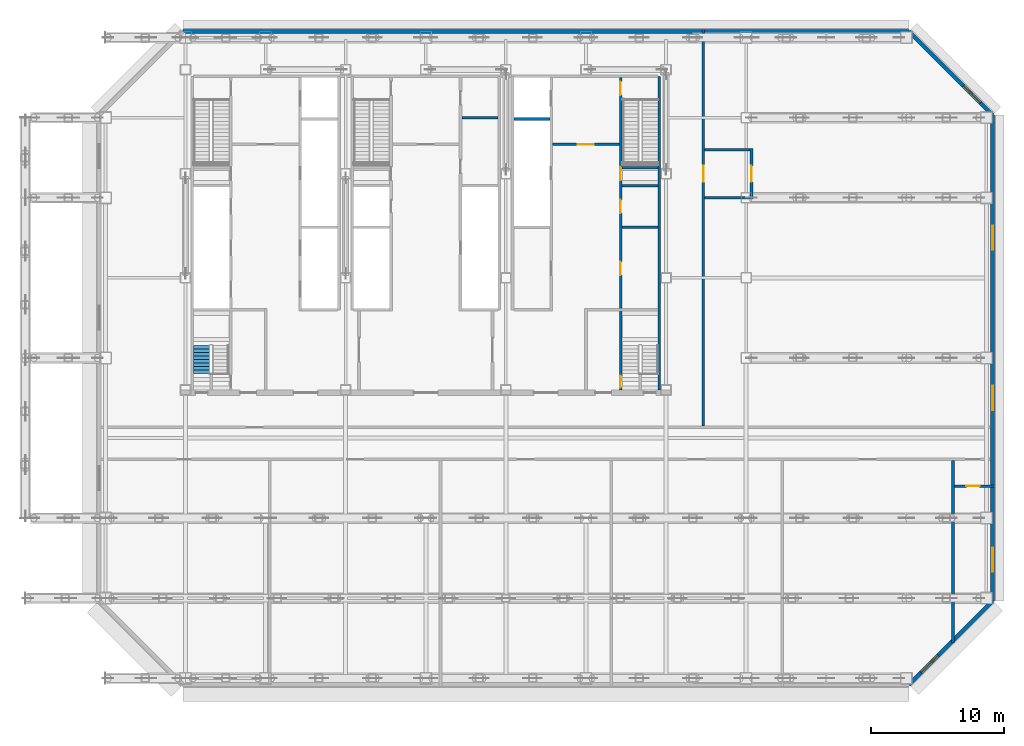
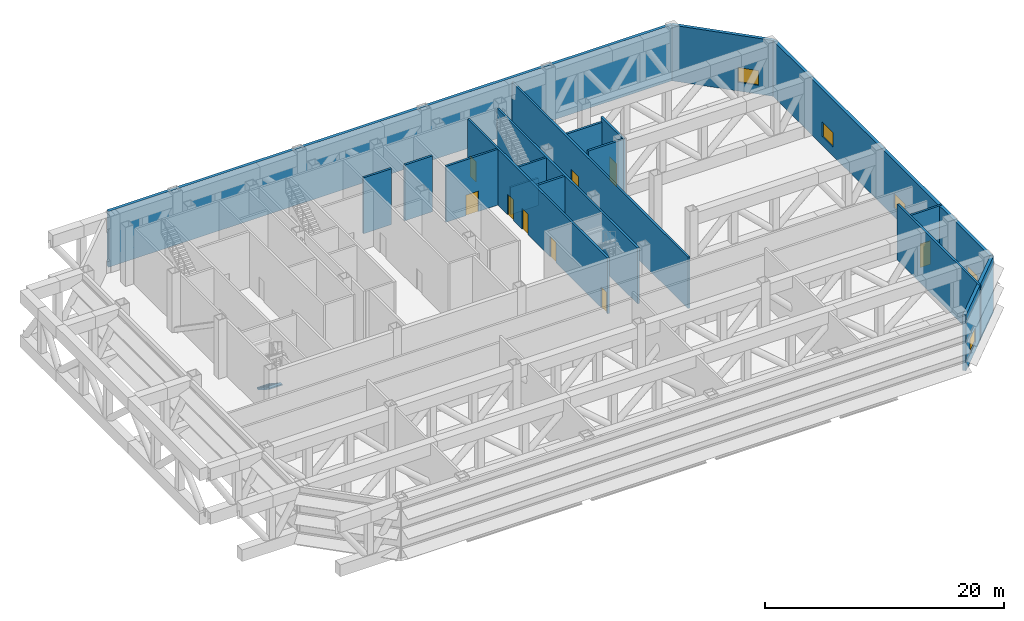
# One storey, part 8 of 17: 18 walls, 9 doors, 5 windows, 1 stair flight, 14 openings, 1 element without a shape of its own.
"""IFC4 building model written with IfcOpenShell, lengths in metres."""

from ifc_helpers import new_model, si_unit, direction, frame, frame_2d, origin, place, context, subcontext, project, spatial, polyline, rectangle, outline, extrude, material, layer, layer_set, type_object, element, fill, aggregate, save


model = new_model("IFC4")

# Units and contexts
model_context = context("Model", 3, precision=1e-05, world=origin(), true_north=direction((0.0, 1.0)))
body_context = subcontext(model_context, "Body", "Model", "MODEL_VIEW")
ifc_project = project(units=[si_unit("LENGTHUNIT", "METRE"), si_unit("AREAUNIT", "SQUARE_METRE"), si_unit("VOLUMEUNIT", "CUBIC_METRE"), si_unit("PLANEANGLEUNIT", "RADIAN"), si_unit("MASSUNIT", "GRAM", prefix="KILO")], contexts=[model_context])

# Site, building, storey
site_placement = place(None, origin())
site = spatial("IfcSite", under=ifc_project, at=site_placement, CompositionType="ELEMENT")
building_placement = place(site_placement, origin())
building = spatial("IfcBuilding", under=site, at=building_placement, Name="Sorahane Residences", CompositionType="ELEMENT")
storey_placement = place(building_placement, frame((0.0, 0.0, 90.199951171875)))
storey = spatial("IfcBuildingStorey", under=building, at=storey_placement, Name="L19", CompositionType="ELEMENT", Elevation=90.199951171875)

# Wall
ifc_material_1 = material(Name="Concrete C30", Category="concrete")
ifc_layer_1 = layer(ifc_material_1, 0.199951171875)
ifc_layer_set_1 = layer_set([ifc_layer_1], Name="Core face wall 200 EI 180")
wall_type_1 = type_object("IfcWallType", Name="Core face wall 200 EI 180", PredefinedType="SOLIDWALL", material=ifc_layer_set_1)
wall_1_placement = place(storey_placement, frame((41.5, 21.60009765625, 0.0), z_axis=(0.0, 0.0, 1.0), x_axis=(0.0, 1.0, 0.0)))
element("IfcWall", 1, at=wall_1_placement, inside=storey, type_object=wall_type_1, Name="L19 core face wall", PredefinedType="SOLIDWALL", context=body_context, shape_type="SweptSolid", body=[
    extrude(rectangle(XDim=23.5, YDim=0.199951171875, at=frame_2d((11.75, 0.0))), origin(), (0.0, 0.0, 1.0), 5.699951171875),
])

# Wall, opening, window
ifc_material_2 = material(Name="Graphite insulated metal-clad wall")
ifc_layer_2 = layer(ifc_material_2, 0.300048828125)
ifc_layer_set_2 = layer_set([ifc_layer_2], Name="External wall insulated metal-clad 300")
wall_type_2 = type_object("IfcWallType", Name="External wall insulated metal-clad 300", PredefinedType="SOLIDWALL", material=ifc_layer_set_2)
wall_2_placement = place(storey_placement, frame((60.194580078125, -0.469970703125, 0.0), z_axis=(0.0, 0.0, 1.0), x_axis=(0.707106781187, 0.707106781187, 0.0)))
wall_2 = element("IfcWall", 2, at=wall_2_placement, inside=storey, type_object=wall_type_2, Name="External plant wall L19 SE1", PredefinedType="SOLIDWALL", context=body_context, shape_type="SweptSolid", body=[
    extrude(rectangle(XDim=8.874755859375, YDim=0.300048828125, at=frame_2d((4.4375, 0.0))), origin(), (0.0, 0.0, 1.0), 5.699951171875),
])
opening_1_placement = place(wall_2_placement, frame((1.291748046875, 0.0, 0.89990234375)))
opening_1 = element("IfcOpeningElement", 3, at=opening_1_placement, cuts=wall_2, Name="Opening W-R1", PredefinedType="OPENING", context=body_context, shape_type="SweptSolid", body=[
    extrude(rectangle(XDim=1.800048828125, YDim=1.5, at=frame_2d((0.89990234375, 0.75))), frame((0.0, 0.159912109375, 0.0), z_axis=(0.0, -1.0, 0.0), x_axis=(1.0, 0.0, 0.0)), (0.0, 0.0, 1.0), 0.320068359375),
])
ifc_material_3 = material(Name="Dark aluminium and glass", Category="aluminium")
window_type = type_object("IfcWindowType", Name="Openable Class B fire window dark aluminium 1800x1500", PartitioningType="SINGLE_PANEL", PredefinedType="WINDOW", material=ifc_material_3)
window_1_placement = place(opening_1_placement, origin())
window_1 = element("IfcWindow", 4, at=window_1_placement, inside=storey, type_object=window_type, Name="Openable fire window L19 SE1.1", OverallHeight=1.5, OverallWidth=1.800048828125, PartitioningType="SINGLE_PANEL", PredefinedType="WINDOW", context=body_context, shape_type="SweptSolid", body=[
    extrude(rectangle(XDim=1.800048828125, YDim=1.5, at=frame_2d((0.89990234375, 0.75))), frame((0.0, 0.030029296875, 0.0), z_axis=(0.0, -1.0, 0.0), x_axis=(1.0, 0.0, 0.0)), (0.0, 0.0, 1.0), 0.06005859375),
])
fill(opening_1, window_1)

# Wall, openings, windows
wall_3_placement = place(storey_placement, frame((66.469970703125, 5.805419921875, 0.0), z_axis=(0.0, 0.0, 1.0), x_axis=(0.0, 1.0, 0.0)))
wall_3 = element("IfcWall", 5, at=wall_3_placement, inside=storey, type_object=wall_type_2, Name="External plant wall L19 E1", PredefinedType="SOLIDWALL", context=body_context, shape_type="SweptSolid", body=[
    extrude(rectangle(XDim=36.38916015625, YDim=0.300048828125, at=frame_2d((18.194580078125, 0.0))), origin(), (0.0, 0.0, 1.0), 5.699951171875),
])
opening_2_placement = place(wall_3_placement, frame((2.17041015625, 0.0, 0.89990234375)))
opening_2 = element("IfcOpeningElement", 6, at=opening_2_placement, cuts=wall_3, Name="Opening W-R1", PredefinedType="OPENING", context=body_context, shape_type="SweptSolid", body=[
    extrude(rectangle(XDim=1.800048828125, YDim=1.5, at=frame_2d((0.89990234375, 0.75))), frame((0.0, 0.159912109375, 0.0), z_axis=(0.0, -1.0, 0.0), x_axis=(1.0, 0.0, 0.0)), (0.0, 0.0, 1.0), 0.320068359375),
])
opening_3_placement = place(wall_3_placement, frame((14.294677734375, 0.0, 0.89990234375)))
opening_3 = element("IfcOpeningElement", 7, at=opening_3_placement, cuts=wall_3, Name="Opening W-R1", PredefinedType="OPENING", context=body_context, shape_type="SweptSolid", body=[
    extrude(rectangle(XDim=1.800048828125, YDim=1.5, at=frame_2d((0.89990234375, 0.75))), frame((0.0, 0.159912109375, 0.0), z_axis=(0.0, -1.0, 0.0), x_axis=(1.0, 0.0, 0.0)), (0.0, 0.0, 1.0), 0.320068359375),
])
opening_4_placement = place(wall_3_placement, frame((26.294677734375, 0.0, 0.89990234375)))
opening_4 = element("IfcOpeningElement", 8, at=opening_4_placement, cuts=wall_3, Name="Opening W-R1", PredefinedType="OPENING", context=body_context, shape_type="SweptSolid", body=[
    extrude(rectangle(XDim=1.800048828125, YDim=1.5, at=frame_2d((0.89990234375, 0.75))), frame((0.0, 0.159912109375, 0.0), z_axis=(0.0, -1.0, 0.0), x_axis=(1.0, 0.0, 0.0)), (0.0, 0.0, 1.0), 0.320068359375),
])
window_2_placement = place(opening_2_placement, origin())
window_2 = element("IfcWindow", 9, at=window_2_placement, inside=storey, type_object=window_type, Name="Openable fire window L19 E1.1", OverallHeight=1.5, OverallWidth=1.800048828125, PartitioningType="SINGLE_PANEL", PredefinedType="WINDOW", context=body_context, shape_type="SweptSolid", body=[
    extrude(rectangle(XDim=1.800048828125, YDim=1.5, at=frame_2d((0.89990234375, 0.75))), frame((0.0, 0.030029296875, 0.0), z_axis=(0.0, -1.0, 0.0), x_axis=(1.0, 0.0, 0.0)), (0.0, 0.0, 1.0), 0.06005859375),
])
fill(opening_2, window_2)
window_3_placement = place(opening_3_placement, origin())
window_3 = element("IfcWindow", 10, at=window_3_placement, inside=storey, type_object=window_type, Name="Openable fire window L19 E1.3", OverallHeight=1.5, OverallWidth=1.800048828125, PartitioningType="SINGLE_PANEL", PredefinedType="WINDOW", context=body_context, shape_type="SweptSolid", body=[
    extrude(rectangle(XDim=1.800048828125, YDim=1.5, at=frame_2d((0.89990234375, 0.75))), frame((0.0, 0.030029296875, 0.0), z_axis=(0.0, -1.0, 0.0), x_axis=(1.0, 0.0, 0.0)), (0.0, 0.0, 1.0), 0.06005859375),
])
fill(opening_3, window_3)
window_4_placement = place(opening_4_placement, origin())
window_4 = element("IfcWindow", 11, at=window_4_placement, inside=storey, type_object=window_type, Name="Openable fire window L19 E1.5", OverallHeight=1.5, OverallWidth=1.800048828125, PartitioningType="SINGLE_PANEL", PredefinedType="WINDOW", context=body_context, shape_type="SweptSolid", body=[
    extrude(rectangle(XDim=1.800048828125, YDim=1.5, at=frame_2d((0.89990234375, 0.75))), frame((0.0, 0.030029296875, 0.0), z_axis=(0.0, -1.0, 0.0), x_axis=(1.0, 0.0, 0.0)), (0.0, 0.0, 1.0), 0.06005859375),
])
fill(opening_4, window_4)

# Wall, opening, window
wall_4_placement = place(storey_placement, frame((66.469970703125, 42.194580078125, 0.0), z_axis=(0.0, 0.0, 1.0), x_axis=(-0.707106781187, 0.707106781187, 0.0)))
wall_4 = element("IfcWall", 12, at=wall_4_placement, inside=storey, type_object=wall_type_2, Name="External plant wall L19 NE1", PredefinedType="SOLIDWALL", context=body_context, shape_type="SweptSolid", body=[
    extrude(rectangle(XDim=8.874755859375, YDim=0.300048828125, at=frame_2d((4.4375, 0.0))), origin(), (0.0, 0.0, 1.0), 5.699951171875),
])
opening_5_placement = place(wall_4_placement, frame((1.291748046875, 0.0, 0.89990234375)))
opening_5 = element("IfcOpeningElement", 13, at=opening_5_placement, cuts=wall_4, Name="Opening W-R1", PredefinedType="OPENING", context=body_context, shape_type="SweptSolid", body=[
    extrude(rectangle(XDim=1.800048828125, YDim=1.5, at=frame_2d((0.89990234375, 0.75))), frame((0.0, 0.159912109375, 0.0), z_axis=(0.0, -1.0, 0.0), x_axis=(1.0, 0.0, 0.0)), (0.0, 0.0, 1.0), 0.320068359375),
])
window_5_placement = place(opening_5_placement, origin())
window_5 = element("IfcWindow", 14, at=window_5_placement, inside=storey, type_object=window_type, Name="Openable fire window L19 NE1.1", OverallHeight=1.5, OverallWidth=1.800048828125, PartitioningType="SINGLE_PANEL", PredefinedType="WINDOW", context=body_context, shape_type="SweptSolid", body=[
    extrude(rectangle(XDim=1.800048828125, YDim=1.5, at=frame_2d((0.89990234375, 0.75))), frame((0.0, 0.030029296875, 0.0), z_axis=(0.0, -1.0, 0.0), x_axis=(1.0, 0.0, 0.0)), (0.0, 0.0, 1.0), 0.06005859375),
])
fill(opening_5, window_5)

# Wall
wall_5_placement = place(storey_placement, frame((60.194580078125, 48.469970703125, 0.0), z_axis=(0.0, 0.0, 1.0), x_axis=(-1.0, 0.0, 0.0)))
element("IfcWall", 15, at=wall_5_placement, inside=storey, type_object=wall_type_2, Name="External plant wall L19 N1", PredefinedType="SOLIDWALL", context=body_context, shape_type="SweptSolid", body=[
    extrude(rectangle(XDim=54.38916015625, YDim=0.300048828125, at=frame_2d((27.194580078125, 0.0))), origin(), (0.0, 0.0, 1.0), 5.699951171875),
])

# Wall, opening, door
ifc_material_4 = material(Name="Concrete blockwork C20 wall", Category="masonry")
ifc_layer_3 = layer(ifc_material_4, 0.199951171875)
ifc_layer_set_3 = layer_set([ifc_layer_3], Name="Fire wall 200 EI 120")
wall_type_3 = type_object("IfcWallType", Name="Fire wall 200 EI 120", PredefinedType="SOLIDWALL", material=ifc_layer_set_3)
wall_6_placement = place(storey_placement, frame((44.800048828125, 18.89990234375, 0.0), z_axis=(0.0, 0.0, 1.0), x_axis=(0.0, 1.0, 0.0)))
wall_6 = element("IfcWall", 16, at=wall_6_placement, inside=storey, type_object=wall_type_3, Name="L19 fire wall", PredefinedType="SOLIDWALL", context=body_context, shape_type="SweptSolid", body=[
    extrude(rectangle(XDim=29.7001953125, YDim=0.199951171875, at=frame_2d((14.85009765625, 0.0))), origin(), (0.0, 0.0, 1.0), 5.25),
])
opening_6_placement = place(wall_6_placement, frame((18.300048828125, 0.0, 0.0)))
opening_6 = element("IfcOpeningElement", 17, at=opening_6_placement, cuts=wall_6, Name="Opening L19-10", PredefinedType="OPENING", context=body_context, shape_type="SweptSolid", body=[
    extrude(rectangle(XDim=1.199951171875, YDim=2.39990234375, at=frame_2d((0.60009765625, 1.199951171875))), frame((0.0, 0.10986328125, 0.0), z_axis=(0.0, -1.0, 0.0), x_axis=(1.0, 0.0, 0.0)), (0.0, 0.0, 1.0), 0.219970703125),
])
ifc_material_5 = material(Name="Steel", Category="steel")
door_type_1 = type_object("IfcDoorType", Name="Lobby door 1200x2400 FD60", OperationType="NOTDEFINED", PredefinedType="DOOR", material=ifc_material_5)
door_1_placement = place(opening_6_placement, origin())
door_1 = element("IfcDoor", 18, at=door_1_placement, inside=storey, type_object=door_type_1, Name="Lobby door L19-10", OperationType="SINGLE_SWING_RIGHT", OverallHeight=2.39990234375, OverallWidth=1.199951171875, PredefinedType="DOOR", context=body_context, shape_type="SweptSolid", body=[
    extrude(rectangle(XDim=1.199951171875, YDim=2.39990234375, at=frame_2d((0.60009765625, 1.199951171875))), frame((0.0, 0.02490234375, 0.0), z_axis=(0.0, -1.0, 0.0), x_axis=(1.0, 0.0, 0.0)), (0.0, 0.0, 1.0), 0.050048828125),
])
fill(opening_6, door_1)

wall_7_placement = place(storey_placement, frame((48.39990234375, 35.89990234375, 0.0), z_axis=(0.0, 0.0, 1.0), x_axis=(0.0, 1.0, 0.0)))
wall_7 = element("IfcWall", 19, at=wall_7_placement, inside=storey, type_object=wall_type_3, Name="L19 fire wall", PredefinedType="SOLIDWALL", context=body_context, shape_type="SweptSolid", body=[
    extrude(rectangle(XDim=3.800048828125, YDim=0.199951171875, at=frame_2d((1.89990234375, 0.0))), origin(), (0.0, 0.0, 1.0), 5.699951171875),
])
opening_7_placement = place(wall_7_placement, frame((1.300048828125, 0.0, 0.0)))
opening_7 = element("IfcOpeningElement", 20, at=opening_7_placement, cuts=wall_7, Name="Opening L19-09", PredefinedType="OPENING", context=body_context, shape_type="SweptSolid", body=[
    extrude(rectangle(XDim=1.199951171875, YDim=2.39990234375, at=frame_2d((0.60009765625, 1.199951171875))), frame((0.0, 0.10986328125, 0.0), z_axis=(0.0, -1.0, 0.0), x_axis=(1.0, 0.0, 0.0)), (0.0, 0.0, 1.0), 0.219970703125),
])
door_2_placement = place(opening_7_placement, origin())
door_2 = element("IfcDoor", 21, at=door_2_placement, inside=storey, type_object=door_type_1, Name="Lobby door L19-09", OperationType="SINGLE_SWING_LEFT", OverallHeight=2.39990234375, OverallWidth=1.199951171875, PredefinedType="DOOR", context=body_context, shape_type="SweptSolid", body=[
    extrude(rectangle(XDim=1.199951171875, YDim=2.39990234375, at=frame_2d((0.60009765625, 1.199951171875))), frame((0.0, 0.02490234375, 0.0), z_axis=(0.0, -1.0, 0.0), x_axis=(1.0, 0.0, 0.0)), (0.0, 0.0, 1.0), 0.050048828125),
])
fill(opening_7, door_2)

# Wall
wall_8_placement = place(storey_placement, frame((63.5, 2.65087890625, 0.0), z_axis=(0.0, 0.0, 1.0), x_axis=(0.0, 1.0, 0.0)))
element("IfcWall", 22, at=wall_8_placement, inside=storey, type_object=wall_type_3, Name="L19 fire wall", PredefinedType="SOLIDWALL", context=body_context, shape_type="SweptSolid", body=[
    extrude(rectangle(XDim=13.649169921875, YDim=0.199951171875, at=frame_2d((6.82470703125, 0.0))), origin(), (0.0, 0.0, 1.0), 5.699951171875),
])

# Wall, opening, door
wall_9_placement = place(storey_placement, frame((63.60009765625, 14.39990234375, 0.0), z_axis=(0.0, 0.0, 1.0), x_axis=(1.0, 0.0, 0.0)))
wall_9 = element("IfcWall", 23, at=wall_9_placement, inside=storey, type_object=wall_type_3, Name="L19 fire wall", PredefinedType="SOLIDWALL", context=body_context, shape_type="SweptSolid", body=[
    extrude(rectangle(XDim=3.0, YDim=0.199951171875, at=frame_2d((1.5, 0.0))), origin(), (0.0, 0.0, 1.0), 5.699951171875),
])
opening_8_placement = place(wall_9_placement, frame((0.89990234375, 0.0, 0.0)))
opening_8 = element("IfcOpeningElement", 24, at=opening_8_placement, cuts=wall_9, Name="Opening L19-07", PredefinedType="OPENING", context=body_context, shape_type="SweptSolid", body=[
    extrude(rectangle(XDim=1.0, YDim=2.39990234375, at=frame_2d((0.5, 1.199951171875))), frame((0.0, 0.10986328125, 0.0), z_axis=(0.0, -1.0, 0.0), x_axis=(1.0, 0.0, 0.0)), (0.0, 0.0, 1.0), 0.219970703125),
])
ifc_material_6 = material(Name="Steel", Category="steel")
door_type_2 = type_object("IfcDoorType", Name="Fire door 1000x2400 FD60", OperationType="NOTDEFINED", PredefinedType="DOOR", material=ifc_material_6)
door_3_placement = place(opening_8_placement, frame((1.0, 0.0, 0.0), z_axis=(0.0, 0.0, 1.0), x_axis=(-1.0, 0.0, 0.0)))
door_3 = element("IfcDoor", 25, at=door_3_placement, inside=storey, type_object=door_type_2, Name="Fire door L19-07", OperationType="SINGLE_SWING_RIGHT", OverallHeight=2.39990234375, OverallWidth=1.0, PredefinedType="DOOR", context=body_context, shape_type="SweptSolid", body=[
    extrude(rectangle(XDim=1.0, YDim=2.39990234375, at=frame_2d((0.5, 1.199951171875))), frame((0.0, 0.02490234375, 0.0), z_axis=(0.0, -1.0, 0.0), x_axis=(1.0, 0.0, 0.0)), (0.0, 0.0, 1.0), 0.050048828125),
])
fill(opening_8, door_3)

# Walls
wall_10_placement = place(storey_placement, frame((44.89990234375, 36.0, 0.0), z_axis=(0.0, 0.0, 1.0), x_axis=(1.0, 0.0, 0.0)))
element("IfcWall", 26, at=wall_10_placement, inside=storey, type_object=wall_type_3, Name="L19 fire wall", PredefinedType="SOLIDWALL", context=body_context, shape_type="SweptSolid", body=[
    extrude(rectangle(XDim=3.400146484375, YDim=0.199951171875, at=frame_2d((1.7001953125, 0.0))), origin(), (0.0, 0.0, 1.0), 5.699951171875),
])
wall_11_placement = place(storey_placement, frame((44.89990234375, 39.60009765625, 0.0), z_axis=(0.0, 0.0, 1.0), x_axis=(1.0, 0.0, 0.0)))
element("IfcWall", 27, at=wall_11_placement, inside=storey, type_object=wall_type_3, Name="L19 fire wall", PredefinedType="SOLIDWALL", context=body_context, shape_type="SweptSolid", body=[
    extrude(rectangle(XDim=3.400146484375, YDim=0.199951171875, at=frame_2d((1.7001953125, 0.0))), origin(), (0.0, 0.0, 1.0), 5.25),
])

# Wall, opening, door
ifc_material_7 = material(Name="Concrete C30", Category="concrete")
ifc_layer_4 = layer(ifc_material_7, 0.199951171875)
ifc_layer_set_4 = layer_set([ifc_layer_4], Name="Front room wall 200 EI 120")
wall_type_4 = type_object("IfcWallType", Name="Front room wall 200 EI 120", PredefinedType="PARTITIONING", material=ifc_layer_set_4)
wall_12_placement = place(storey_placement, frame((33.5, 40.0, 0.0), z_axis=(0.0, 0.0, 1.0), x_axis=(1.0, 0.0, 0.0)))
wall_12 = element("IfcWall", 28, at=wall_12_placement, inside=storey, type_object=wall_type_4, Name="L19 front room wall", PredefinedType="PARTITIONING", context=body_context, shape_type="SweptSolid", body=[
    extrude(rectangle(XDim=5.0, YDim=0.199951171875, at=frame_2d((2.5, 0.0))), origin(), (0.0, 0.0, 1.0), 5.699951171875),
])
opening_9_placement = place(wall_12_placement, frame((1.89990234375, 0.0, 0.0)))
opening_9 = element("IfcOpeningElement", 29, at=opening_9_placement, cuts=wall_12, Name="Opening L19-C10", PredefinedType="OPENING", context=body_context, shape_type="SweptSolid", body=[
    extrude(rectangle(XDim=1.199951171875, YDim=2.10009765625, at=frame_2d((0.60009765625, 1.050048828125))), frame((0.0, 0.10986328125, 0.0), z_axis=(0.0, -1.0, 0.0), x_axis=(1.0, 0.0, 0.0)), (0.0, 0.0, 1.0), 0.219970703125),
])
ifc_material_8 = material(Name="Steel", Category="steel")
door_type_3 = type_object("IfcDoorType", Name="Front room door 1200x2100 FD120", OperationType="NOTDEFINED", PredefinedType="DOOR", material=ifc_material_8)
door_4_placement = place(opening_9_placement, frame((1.199951171875, 0.0, 0.0), z_axis=(0.0, 0.0, 1.0), x_axis=(-1.0, 0.0, 0.0)))
door_4 = element("IfcDoor", 30, at=door_4_placement, inside=storey, type_object=door_type_3, Name="Front room door Firefighting lobby FF2 front room L19", OperationType="DOUBLE_DOOR_SINGLE_SWING", OverallHeight=2.10009765625, OverallWidth=1.199951171875, PredefinedType="DOOR", context=body_context, shape_type="SweptSolid", body=[
    extrude(rectangle(XDim=1.199951171875, YDim=2.10009765625, at=frame_2d((0.60009765625, 1.050048828125))), frame((0.0, 0.02490234375, 0.0), z_axis=(0.0, -1.0, 0.0), x_axis=(1.0, 0.0, 0.0)), (0.0, 0.0, 1.0), 0.050048828125),
])
fill(opening_9, door_4)

# Walls
ifc_material_9 = material(Name="Concrete C30", Category="concrete")
ifc_layer_5 = layer(ifc_material_9, 0.199951171875)
ifc_layer_set_5 = layer_set([ifc_layer_5], Name="Lift shaft wall 200 EI 120")
wall_type_5 = type_object("IfcWallType", Name="Lift shaft wall 200 EI 120", PredefinedType="SOLIDWALL", material=ifc_layer_set_5)
wall_13_placement = place(storey_placement, frame((30.60009765625, 41.89990234375, 0.0), z_axis=(0.0, 0.0, 1.0), x_axis=(1.0, 0.0, 0.0)))
element("IfcWall", 31, at=wall_13_placement, inside=storey, type_object=wall_type_5, Name="L19 lift shaft wall", PredefinedType="SOLIDWALL", context=body_context, shape_type="SweptSolid", body=[
    extrude(rectangle(XDim=2.699951171875, YDim=0.199951171875, at=frame_2d((1.35009765625, 0.0))), origin(), (0.0, 0.0, 1.0), 5.699951171875),
])
ifc_material_10 = material(Name="Concrete C30", Category="concrete")
ifc_layer_6 = layer(ifc_material_10, 0.199951171875)
ifc_layer_set_6 = layer_set([ifc_layer_6], Name="Service room partition 200 EI 60")
wall_type_6 = type_object("IfcWallType", Name="Service room partition 200 EI 60", PredefinedType="PARTITIONING", material=ifc_layer_set_6)
for number, where, z_axis, x_axis, name in (
    (32, (38.699951171875, 33.800048828125, 0.0), (0.0, 0.0, 1.0), (1.0, 0.0, 0.0), "L19 service room wall"),
    (33, (26.699951171875, 42.0, 0.0), (0.0, 0.0, 1.0), (1.0, 0.0, 0.0), "L19 service room wall"),
):
    element("IfcWall", number, at=place(storey_placement, frame(where, z_axis=z_axis, x_axis=x_axis)), inside=storey, type_object=wall_type_6, Name=name, PredefinedType="PARTITIONING", context=body_context, shape_type="SweptSolid", body=[
        extrude(rectangle(XDim=2.699951171875, YDim=0.199951171875, at=frame_2d((1.35009765625, 0.0))), origin(), (0.0, 0.0, 1.0), 5.699951171875),
    ])

# Wall, openings, doors
ifc_material_11 = material(Name="Concrete C30", Category="concrete")
ifc_layer_7 = layer(ifc_material_11, 0.199951171875)
ifc_layer_set_7 = layer_set([ifc_layer_7], Name="Stair enclosure wall 200 EI 120")
wall_type_7 = type_object("IfcWallType", Name="Stair enclosure wall 200 EI 120", PredefinedType="SOLIDWALL", material=ifc_layer_set_7)
wall_14_placement = place(storey_placement, frame((38.60009765625, 21.60009765625, 0.0), z_axis=(0.0, 0.0, 1.0), x_axis=(0.0, 1.0, 0.0)))
wall_14 = element("IfcWall", 34, at=wall_14_placement, inside=storey, type_object=wall_type_7, Name="L19 stair enclosure wall", PredefinedType="SOLIDWALL", context=body_context, shape_type="SweptSolid", body=[
    extrude(rectangle(XDim=23.39990234375, YDim=0.199951171875, at=frame_2d((11.699951171875, 0.0))), origin(), (0.0, 0.0, 1.0), 5.699951171875),
])
opening_10_placement = place(wall_14_placement, frame((8.60009765625, 0.0, 0.0)))
opening_10 = element("IfcOpeningElement", 35, at=opening_10_placement, cuts=wall_14, Name="Opening L19-C18", PredefinedType="OPENING", context=body_context, shape_type="SweptSolid", body=[
    extrude(rectangle(XDim=1.0, YDim=2.10009765625, at=frame_2d((0.5, 1.050048828125))), frame((0.0, 0.10986328125, 0.0), z_axis=(0.0, -1.0, 0.0), x_axis=(1.0, 0.0, 0.0)), (0.0, 0.0, 1.0), 0.219970703125),
])
opening_11_placement = place(wall_14_placement, frame((13.25, 0.0, 0.0)))
opening_11 = element("IfcOpeningElement", 36, at=opening_11_placement, cuts=wall_14, Name="Opening L19-C19", PredefinedType="OPENING", context=body_context, shape_type="SweptSolid", body=[
    extrude(rectangle(XDim=1.0, YDim=2.10009765625, at=frame_2d((0.5, 1.050048828125))), frame((0.0, 0.10986328125, 0.0), z_axis=(0.0, -1.0, 0.0), x_axis=(1.0, 0.0, 0.0)), (0.0, 0.0, 1.0), 0.219970703125),
])
opening_12_placement = place(wall_14_placement, frame((15.699951171875, 0.0, 0.0)))
opening_12 = element("IfcOpeningElement", 37, at=opening_12_placement, cuts=wall_14, Name="Opening L19-C23", PredefinedType="OPENING", context=body_context, shape_type="SweptSolid", body=[
    extrude(rectangle(XDim=1.0, YDim=2.10009765625, at=frame_2d((0.5, 1.050048828125))), frame((0.0, 0.10986328125, 0.0), z_axis=(0.0, -1.0, 0.0), x_axis=(1.0, 0.0, 0.0)), (0.0, 0.0, 1.0), 0.219970703125),
])
opening_13_placement = place(wall_14_placement, frame((22.10009765625, 0.0, 0.0)))
opening_13 = element("IfcOpeningElement", 38, at=opening_13_placement, cuts=wall_14, Name="Opening L19-C24", PredefinedType="OPENING", context=body_context, shape_type="SweptSolid", body=[
    extrude(rectangle(XDim=1.0, YDim=2.10009765625, at=frame_2d((0.5, 1.050048828125))), frame((0.0, 0.10986328125, 0.0), z_axis=(0.0, -1.0, 0.0), x_axis=(1.0, 0.0, 0.0)), (0.0, 0.0, 1.0), 0.219970703125),
])
opening_14_placement = place(wall_14_placement, frame((0.175048828125, 0.0, 0.0)))
opening_14 = element("IfcOpeningElement", 39, at=opening_14_placement, cuts=wall_14, Name="Opening L19-C29", PredefinedType="OPENING", context=body_context, shape_type="SweptSolid", body=[
    extrude(rectangle(XDim=0.89990234375, YDim=2.10009765625, at=frame_2d((0.449951171875, 1.050048828125))), frame((0.0, 0.10986328125, 0.0), z_axis=(0.0, -1.0, 0.0), x_axis=(1.0, 0.0, 0.0)), (0.0, 0.0, 1.0), 0.219970703125),
])
ifc_material_12 = material(Name="Steel", Category="steel")
door_type_4 = type_object("IfcDoorType", Name="Refuge stair door 1000x2100 FD120", OperationType="NOTDEFINED", PredefinedType="DOOR", material=ifc_material_12)
door_5_placement = place(opening_12_placement, frame((1.0, 0.0, 0.0), z_axis=(0.0, 0.0, 1.0), x_axis=(-1.0, 0.0, 0.0)))
door_5 = element("IfcDoor", 40, at=door_5_placement, inside=storey, type_object=door_type_4, Name="Refuge stair door S2 L19", OperationType="SINGLE_SWING_LEFT", OverallHeight=2.10009765625, OverallWidth=1.0, PredefinedType="DOOR", context=body_context, shape_type="SweptSolid", body=[
    extrude(rectangle(XDim=1.0, YDim=2.10009765625, at=frame_2d((0.5, 1.050048828125))), frame((0.0, 0.02490234375, 0.0), z_axis=(0.0, -1.0, 0.0), x_axis=(1.0, 0.0, 0.0)), (0.0, 0.0, 1.0), 0.050048828125),
])
fill(opening_12, door_5)
door_6_placement = place(opening_13_placement, frame((1.0, 0.0, 0.0), z_axis=(0.0, 0.0, 1.0), x_axis=(-1.0, 0.0, 0.0)))
door_6 = element("IfcDoor", 41, at=door_6_placement, inside=storey, type_object=door_type_4, Name="Refuge stair door S2 L19", OperationType="SINGLE_SWING_LEFT", OverallHeight=2.10009765625, OverallWidth=1.0, PredefinedType="DOOR", context=body_context, shape_type="SweptSolid", body=[
    extrude(rectangle(XDim=1.0, YDim=2.10009765625, at=frame_2d((0.5, 1.050048828125))), frame((0.0, 0.02490234375, 0.0), z_axis=(0.0, -1.0, 0.0), x_axis=(1.0, 0.0, 0.0)), (0.0, 0.0, 1.0), 0.050048828125),
])
fill(opening_13, door_6)
ifc_material_13 = material(Name="Steel", Category="steel")
door_type_5 = type_object("IfcDoorType", Name="Refuge stair door 900x2100 FD120", OperationType="NOTDEFINED", PredefinedType="DOOR", material=ifc_material_13)
door_7_placement = place(opening_14_placement, frame((0.89990234375, 0.0, 0.0), z_axis=(0.0, 0.0, 1.0), x_axis=(-1.0, 0.0, 0.0)))
door_7 = element("IfcDoor", 42, at=door_7_placement, inside=storey, type_object=door_type_5, Name="Refuge stair door S5 L19", OperationType="SINGLE_SWING_LEFT", OverallHeight=2.10009765625, OverallWidth=0.89990234375, PredefinedType="DOOR", context=body_context, shape_type="SweptSolid", body=[
    extrude(rectangle(XDim=0.89990234375, YDim=2.10009765625, at=frame_2d((0.449951171875, 1.050048828125))), frame((0.0, 0.02490234375, 0.0), z_axis=(0.0, -1.0, 0.0), x_axis=(1.0, 0.0, 0.0)), (0.0, 0.0, 1.0), 0.050048828125),
])
fill(opening_14, door_7)
ifc_material_14 = material(Name="Steel", Category="steel")
door_type_6 = type_object("IfcDoorType", Name="Service room door 1000x2100 FD60", OperationType="NOTDEFINED", PredefinedType="DOOR", material=ifc_material_14)
door_8_placement = place(opening_10_placement, frame((1.0, 0.0, 0.0), z_axis=(0.0, 0.0, 1.0), x_axis=(-1.0, 0.0, 0.0)))
door_8 = element("IfcDoor", 43, at=door_8_placement, inside=storey, type_object=door_type_6, Name="Service room door Wine room L19", OperationType="SINGLE_SWING_RIGHT", OverallHeight=2.10009765625, OverallWidth=1.0, PredefinedType="DOOR", context=body_context, shape_type="SweptSolid", body=[
    extrude(rectangle(XDim=1.0, YDim=2.10009765625, at=frame_2d((0.5, 1.050048828125))), frame((0.0, 0.02490234375, 0.0), z_axis=(0.0, -1.0, 0.0), x_axis=(1.0, 0.0, 0.0)), (0.0, 0.0, 1.0), 0.050048828125),
])
fill(opening_10, door_8)
door_9_placement = place(opening_11_placement, frame((1.0, 0.0, 0.0), z_axis=(0.0, 0.0, 1.0), x_axis=(-1.0, 0.0, 0.0)))
door_9 = element("IfcDoor", 44, at=door_9_placement, inside=storey, type_object=door_type_6, Name="Service room door Games room L19", OperationType="SINGLE_SWING_LEFT", OverallHeight=2.10009765625, OverallWidth=1.0, PredefinedType="DOOR", context=body_context, shape_type="SweptSolid", body=[
    extrude(rectangle(XDim=1.0, YDim=2.10009765625, at=frame_2d((0.5, 1.050048828125))), frame((0.0, 0.02490234375, 0.0), z_axis=(0.0, -1.0, 0.0), x_axis=(1.0, 0.0, 0.0)), (0.0, 0.0, 1.0), 0.050048828125),
])
fill(opening_11, door_9)

# Walls
wall_15_placement = place(storey_placement, frame((38.699951171875, 36.89990234375, 0.0), z_axis=(0.0, 0.0, 1.0), x_axis=(1.0, 0.0, 0.0)))
element("IfcWall", 45, at=wall_15_placement, inside=storey, type_object=wall_type_7, Name="L19 stair enclosure wall", PredefinedType="SOLIDWALL", context=body_context, shape_type="SweptSolid", body=[
    extrude(rectangle(XDim=2.699951171875, YDim=0.199951171875, at=frame_2d((1.35009765625, 0.0))), origin(), (0.0, 0.0, 1.0), 5.699951171875),
])
wall_16_placement = place(storey_placement, frame((38.699951171875, 38.25, 0.0), z_axis=(0.0, 0.0, 1.0), x_axis=(1.0, 0.0, 0.0)))
element("IfcWall", 46, at=wall_16_placement, inside=storey, type_object=wall_type_7, Name="L19 stair enclosure wall", PredefinedType="SOLIDWALL", context=body_context, shape_type="SweptSolid", body=[
    extrude(rectangle(XDim=2.699951171875, YDim=0.199951171875, at=frame_2d((1.35009765625, 0.0))), origin(), (0.0, 0.0, 1.0), 2.800048828125),
])

# Stair, stair flight
ifc_material_15 = material(Name="Concrete C40", Category="concrete")
stair_type = type_object("IfcStairType", Name="Dog-leg stair 1250 Concrete C40", PredefinedType="HALF_TURN_STAIR", material=ifc_material_15)
stair_placement = place(storey_placement, origin())
stair = element("IfcStair", 47, at=stair_placement, inside=storey, type_object=stair_type, Name="L19 Stair S4", PredefinedType="HALF_TURN_STAIR")
ifc_material_16 = material(Name="Concrete C40", Category="concrete")
stair_flight_type = type_object("IfcStairFlightType", Name="Stair flight 1250 Concrete C40", PredefinedType="STRAIGHT", material=ifc_material_16)
stair_flight_placement = place(storey_placement, frame((7.22509765625, 24.929931640625, 1.5), z_axis=(0.0, 0.0, 1.0), x_axis=(0.0, -1.0, 0.0)))
stair_flight = element("IfcStairFlight", 48, at=stair_flight_placement, type_object=stair_flight_type, Name="S4 flight 2", NumberOfRisers=9, NumberOfTreads=8, PredefinedType="STRAIGHT", RiserHeight=0.166666667, TreadLength=0.26, context=body_context, shape_type="SweptSolid", body=[
    extrude(outline(polyline([(0.0, 0.0), (0.0, 0.001953125), (0.0, 0.004150390625), (0.0, 0.006103515625), (0.0, 0.00830078125), (0.0, 0.01025390625), (0.0, 0.012451171875), (0.0, 0.014404296875), (0.0, 0.016357421875), (0.0, 0.0185546875), (0.0, 0.0205078125), (0.0, 0.022705078125), (0.0, 0.024658203125), (0.0, 0.02685546875), (0.0, 0.02880859375), (0.0, 0.03076171875), (0.0, 0.032958984375), (0.0, 0.034912109375), (0.0, 0.037109375), (0.0, 0.0390625), (0.0, 0.041259765625), (0.0, 0.043212890625), (0.0, 0.045166015625), (0.0, 0.04736328125), (0.0, 0.04931640625), (0.0, 0.051513671875), (0.0, 0.053466796875), (0.0, 0.0556640625), (0.0, 0.0576171875), (0.0, 0.0595703125), (0.0, 0.061767578125), (0.0, 0.063720703125), (0.0, 0.06591796875), (0.0, 0.06787109375), (0.0, 0.070068359375), (0.0, 0.072021484375), (0.0, 0.073974609375), (0.0, 0.076171875), (0.0, 0.078125), (0.0, 0.080322265625), (0.0, 0.082275390625), (0.0, 0.08447265625), (0.0, 0.08642578125), (0.0, 0.08837890625), (0.0, 0.090576171875), (0.0, 0.092529296875), (0.0, 0.0947265625), (0.0, 0.0966796875), (0.0, 0.098876953125), (0.0, 0.100830078125), (0.0, 0.102783203125), (0.0, 0.10498046875), (0.0, 0.10693359375), (0.0, 0.109130859375), (0.0, 0.111083984375), (0.0, 0.11328125), (0.0, 0.115234375), (0.0, 0.1171875), (0.0, 0.119384765625), (0.0, 0.121337890625), (0.0, 0.12353515625), (0.0, 0.12548828125), (0.0, 0.127685546875), (0.0, 0.129638671875), (0.0, 0.131591796875), (0.0, 0.1337890625), (0.0, 0.1357421875), (0.0, 0.137939453125), (0.0, 0.139892578125), (0.0, 0.14208984375), (0.0, 0.14404296875), (0.0, 0.14599609375), (0.0, 0.148193359375), (0.0, 0.150146484375), (0.0, 0.15234375), (0.0, 0.154296875), (0.0, 0.156494140625), (0.0, 0.158447265625), (0.0, 0.160400390625), (0.0, 0.16259765625), (0.0, 0.16455078125), (0.0, 0.166748046875), (0.260009765625, 0.166748046875), (0.260009765625, 0.333251953125), (0.52001953125, 0.333251953125), (0.52001953125, 0.5), (0.780029296875, 0.5), (0.780029296875, 0.666748046875), (1.0400390625, 0.666748046875), (1.0400390625, 0.833251953125), (1.300048828125, 0.833251953125), (1.300048828125, 1.0), (1.56005859375, 1.0), (1.56005859375, 1.166748046875), (1.820068359375, 1.166748046875), (1.820068359375, 1.333251953125), (2.080078125, 1.333251953125), (2.080078125, 1.5), (2.080078125, 1.49609375), (2.080078125, 1.492431640625), (2.080078125, 1.488525390625), (2.080078125, 1.484619140625), (2.080078125, 1.48095703125), (2.080078125, 1.47705078125), (2.080078125, 1.47314453125), (2.080078125, 1.469482421875), (2.080078125, 1.465576171875), (2.080078125, 1.4619140625), (2.080078125, 1.4580078125), (2.080078125, 1.4541015625), (2.080078125, 1.450439453125), (2.080078125, 1.446533203125), (2.080078125, 1.442626953125), (2.080078125, 1.43896484375), (2.080078125, 1.43505859375), (2.080078125, 1.43115234375), (2.080078125, 1.427490234375), (2.080078125, 1.423583984375), (2.080078125, 1.419677734375), (2.080078125, 1.416015625), (2.080078125, 1.412109375), (2.080078125, 1.408447265625), (2.080078125, 1.404541015625), (2.080078125, 1.400634765625), (2.080078125, 1.39697265625), (2.080078125, 1.39306640625), (2.080078125, 1.38916015625), (2.080078125, 1.385498046875), (2.080078125, 1.381591796875), (2.080078125, 1.377685546875), (2.080078125, 1.3740234375), (2.080078125, 1.3701171875), (2.080078125, 1.3662109375), (2.080078125, 1.362548828125), (2.080078125, 1.358642578125), (2.080078125, 1.35498046875), (2.080078125, 1.35107421875), (2.080078125, 1.34716796875), (2.080078125, 1.343505859375), (2.080078125, 1.339599609375), (2.080078125, 1.335693359375), (2.080078125, 1.33203125), (2.080078125, 1.328125), (2.080078125, 1.32421875), (2.080078125, 1.320556640625), (2.080078125, 1.316650390625), (2.080078125, 1.312744140625), (2.080078125, 1.30908203125), (2.080078125, 1.30517578125), (2.080078125, 1.301513671875), (2.080078125, 1.297607421875), (2.080078125, 1.293701171875), (2.080078125, 1.2900390625), (2.080078125, 1.2861328125), (2.080078125, 1.2822265625), (2.080078125, 1.278564453125), (2.080078125, 1.274658203125), (2.080078125, 1.270751953125), (2.080078125, 1.26708984375), (2.080078125, 1.26318359375), (2.080078125, 1.25927734375), (2.080078125, 1.255615234375), (2.080078125, 1.251708984375), (2.080078125, 1.248046875), (2.080078125, 1.244140625), (2.080078125, 1.240234375), (2.080078125, 1.236572265625), (2.080078125, 1.232666015625), (2.080078125, 1.228759765625), (2.080078125, 1.22509765625), (2.080078125, 1.22119140625), (2.080078125, 1.21728515625), (2.080078125, 1.213623046875), (2.080078125, 1.209716796875), (2.080078125, 1.205810546875), (2.080078125, 1.2021484375), (2.080078125, 1.1982421875), (2.080078125, 1.194580078125), (2.080078125, 1.190673828125), (1.87353515625, 1.058349609375), (1.667236328125, 0.926025390625), (1.4609375, 0.793701171875), (1.25439453125, 0.661376953125), (1.048095703125, 0.529296875), (0.841796875, 0.39697265625), (0.63525390625, 0.2646484375), (0.428955078125, 0.13232421875), (0.22265625, 0.0), (0.0, 0.0)])), frame((0.0, 0.625, 0.0), z_axis=(0.0, -1.0, 0.0), x_axis=(1.0, 0.0, 0.0)), (0.0, 0.0, 1.0), 1.25),
])
aggregate(stair, [stair_flight])

save(model, "model.ifc")
